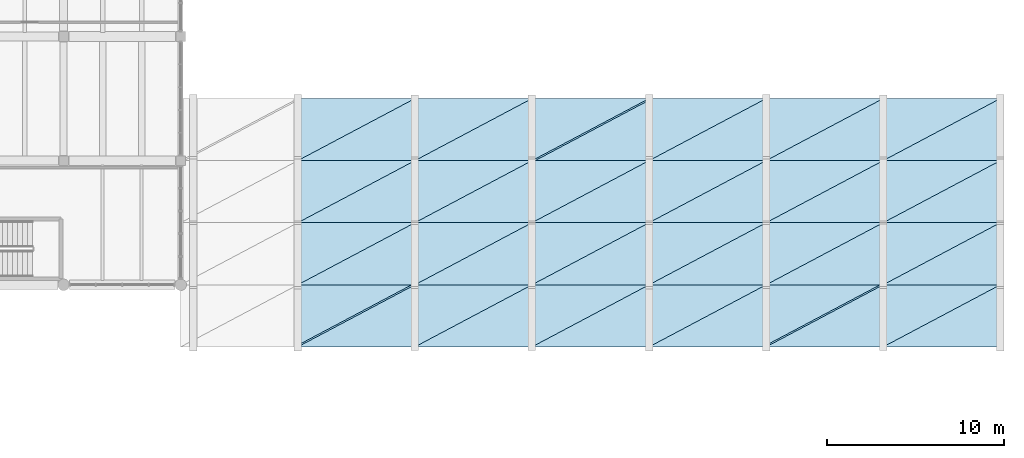
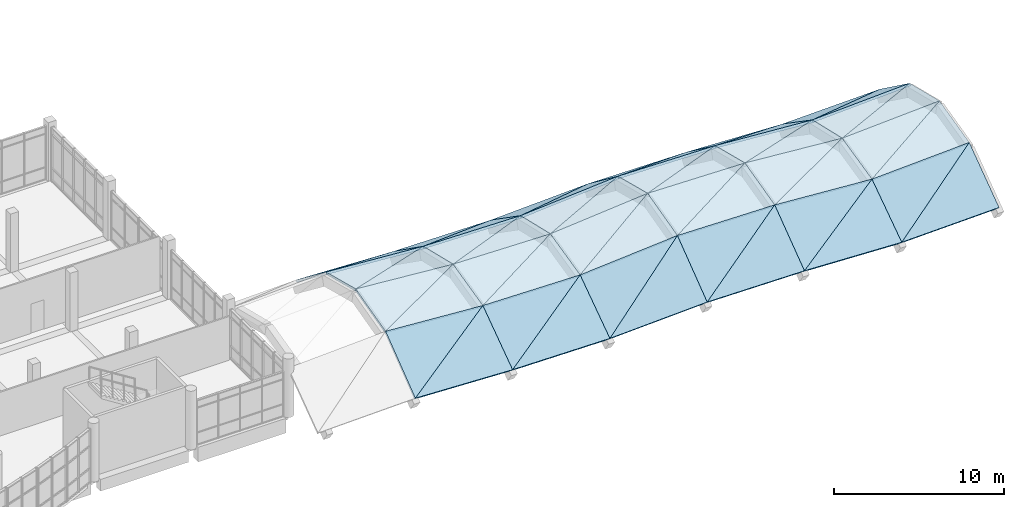
# One storey, part 44 of 65: 48 slabs, 1 element without a shape of its own.
"""IFC4 building model written with IfcOpenShell, lengths in metres."""

from ifc_helpers import new_model, si_unit, direction, frame, origin, place, context, subcontext, project, spatial, polyline, outline, extrude, material, layer, layer_set, type_object, element, aggregate, save


model = new_model("IFC4")

# Units and contexts
model_context = context("Model", 3, precision=1e-05, world=origin(), true_north=direction((0.0, 1.0)))
body_context = subcontext(model_context, "Body", "Model", "MODEL_VIEW")
ifc_project = project(units=[si_unit("LENGTHUNIT", "METRE"), si_unit("AREAUNIT", "SQUARE_METRE"), si_unit("VOLUMEUNIT", "CUBIC_METRE"), si_unit("PLANEANGLEUNIT", "RADIAN"), si_unit("MASSUNIT", "GRAM", prefix="KILO")], contexts=[model_context])

# Site, building, storey
site_placement = place(None, origin())
site = spatial("IfcSite", under=ifc_project, at=site_placement, CompositionType="ELEMENT")
building_placement = place(site_placement, origin())
building = spatial("IfcBuilding", under=site, at=building_placement, Name="Ciguamira Faculty of Natural Sciences", CompositionType="ELEMENT")
storey_placement = place(building_placement, frame((0.0, 0.0, 12.60009765625)))
storey = spatial("IfcBuildingStorey", under=building, at=storey_placement, Name="L03", CompositionType="ELEMENT", Elevation=12.60009765625)

# Roof, slabs
ifc_material = material(Name="Concrete C40/50", Category="concrete")
roof_type = type_object("IfcRoofType", Name="RoofSys_RF-SHL", PredefinedType="FREEFORM", material=ifc_material)
roof_placement = place(storey_placement, origin())
roof = element("IfcRoof", 1, at=roof_placement, inside=storey, type_object=roof_type, Name="Lecture Theatres Thin Concrete Shell Upper Crown", PredefinedType="FREEFORM")
ifc_layer = layer(ifc_material, 0.159912109375, Name="Concrete C40/50")
ifc_layer_set = layer_set([ifc_layer], Name="Concrete C40/50")
slab_type = type_object("IfcSlabType", Name="Slab_SR-02_160", PredefinedType="ROOF", material=ifc_layer_set)
slab_1_placement = place(storey_placement, frame((129.89990234375, 6.5, 0.979736328125), z_axis=(0.033035097132, -0.578735927363, 0.814845634913), x_axis=(0.999179203423, 0.0, -0.040508263925)))
slab_1 = element("IfcSlab", 2, at=slab_1_placement, type_object=slab_type, Name="V1 thin concrete shell facet 02-02-T1", PredefinedType="ROOF", context=body_context, shape_type="SweptSolid", body=[
    extrude(outline(polyline([(0.0, 0.0), (6.605519443996457, -2.7755575615628914e-17), (6.504822387530223, 4.291766516435169), (0.0, 0.0)])), origin(), (0.0, 0.0, -1.0), 0.159912109375),
])
slab_2_placement = place(storey_placement, frame((129.89990234375, 6.5, 0.979736328125), z_axis=(0.055671449392, -0.607281347196, 0.79253394569), x_axis=(0.846918583219, 0.449116845788, 0.284645344645)))
slab_2 = element("IfcSlab", 3, at=slab_2_placement, type_object=slab_type, Name="V1 thin concrete shell facet 02-02-T2", PredefinedType="ROOF", context=body_context, shape_type="SweptSolid", body=[
    extrude(outline(polyline([(0.0, 0.0), (7.793072187841484, 2.220446049250313e-16), (2.3352949736662874, 3.7401742315112054), (0.0, 0.0)])), origin(), (0.0, 0.0, -1.0), 0.159912109375),
])
slab_3_placement = place(storey_placement, frame((129.89990234375, 10.0, 3.66162109375), z_axis=(0.068159989792, -0.232021207353, 0.970319728301), x_axis=(0.99754192166, 0.0, -0.070072209412)))
slab_3 = element("IfcSlab", 4, at=slab_3_placement, type_object=slab_type, Name="V1 thin concrete shell facet 02-03-T1", PredefinedType="ROOF", context=body_context, shape_type="SweptSolid", body=[
    extrude(outline(polyline([(0.0, 0.0), (6.6163611903848185, -1.3877787807814457e-17), (6.55771677293786, 3.5981920432784795), (0.0, 0.0)])), origin(), (0.0, 0.0, -1.0), 0.159912109375),
])
slab_4_placement = place(storey_placement, frame((129.89990234375, 10.0, 3.66162109375), z_axis=(0.078276063076, -0.250523822057, 0.964940761151), x_axis=(0.882364141791, 0.467913454787, 0.049905111075)))
slab_4 = element("IfcSlab", 5, at=slab_4_placement, type_object=slab_type, Name="V1 thin concrete shell facet 02-03-T2", PredefinedType="ROOF", context=body_context, shape_type="SweptSolid", body=[
    extrude(outline(polyline([(0.0, 0.0), (7.480015725543837, -1.1102230246251565e-16), (1.6830454373160386, 3.2004809213182743), (0.0, 0.0)])), origin(), (0.0, 0.0, -1.0), 0.159912109375),
])
slab_5_placement = place(storey_placement, frame((129.89990234375, 13.5, 4.5703125), z_axis=(0.078651479537, 0.231841616058, 0.969568672055), x_axis=(0.996725916951, 0.0, -0.080854477172)))
slab_5 = element("IfcSlab", 6, at=slab_5_placement, type_object=slab_type, Name="V1 thin concrete shell facet 02-04-T1", PredefinedType="ROOF", context=body_context, shape_type="SweptSolid", body=[
    extrude(outline(polyline([(0.0, 0.0), (6.621777907051711, 0.0), (6.689446156013199, 3.5980336513285613), (0.0, 0.0)])), origin(), (0.0, 0.0, -1.0), 0.159912109375),
])
slab_6_placement = place(storey_placement, frame((129.89990234375, 13.5, 4.5703125), z_axis=(0.06783415032, 0.250716034839, 0.96568110571), x_axis=(0.868926453227, 0.46078751326, -0.180670104076)))
slab_6 = element("IfcSlab", 7, at=slab_6_placement, type_object=slab_type, Name="V1 thin concrete shell facet 02-04-T2", PredefinedType="ROOF", context=body_context, shape_type="SweptSolid", body=[
    extrude(outline(polyline([(0.0, 0.0), (7.595691938875123, -1.6653345369377348e-16), (1.7769296673485397, 3.149323900314036), (0.0, 0.0)])), origin(), (0.0, 0.0, -1.0), 0.159912109375),
])
slab_7_placement = place(storey_placement, frame((129.89990234375, 17.0, 3.66162109375), z_axis=(0.057176301521, 0.578104705672, 0.813956890642), x_axis=(0.99754192166, 0.0, -0.070072209412)))
slab_7 = element("IfcSlab", 8, at=slab_7_placement, type_object=slab_type, Name="V1 thin concrete shell facet 02-05-T1", PredefinedType="ROOF", context=body_context, shape_type="SweptSolid", body=[
    extrude(outline(polyline([(0.0, 0.0), (6.6163611903848185, -5.551115123125783e-17), (6.790549480479607, 4.289412333684987), (0.0, 0.0)])), origin(), (0.0, 0.0, -1.0), 0.159912109375),
])
slab_8_placement = place(storey_placement, frame((129.89990234375, 17.0, 3.66162109375), z_axis=(0.032163804377, 0.60790992831, 0.793354276947), x_axis=(0.821740613892, 0.435765089915, -0.36722084621)))
slab_8 = element("IfcSlab", 9, at=slab_8_placement, type_object=slab_type, Name="V1 thin concrete shell facet 02-05-T2", PredefinedType="ROOF", context=body_context, shape_type="SweptSolid", body=[
    extrude(outline(polyline([(0.0, 0.0), (8.03185037305917, 4.440892098500626e-16), (2.5100218077724072, 3.625230533441756), (0.0, 0.0)])), origin(), (0.0, 0.0, -1.0), 0.159912109375),
])
slab_9_placement = place(storey_placement, frame((136.5, 6.5, 0.712158203125), z_axis=(0.008225819886, -0.571474418624, 0.820578652383), x_axis=(0.999949759351, 0.0, -0.010023910068)))
slab_9 = element("IfcSlab", 10, at=slab_9_placement, type_object=slab_type, Name="V1 thin concrete shell facet 03-02-T1", PredefinedType="ROOF", context=body_context, shape_type="SweptSolid", body=[
    extrude(outline(polyline([(0.0, 0.0), (6.600429266097296, 0.0), (6.575995985306013, 4.26506849473602), (0.0, 0.0)])), origin(), (0.0, 0.0, -1.0), 0.159912109375),
])
slab_10_placement = place(storey_placement, frame((136.5, 6.5, 0.712158203125), z_axis=(0.014142674486, -0.578994065928, 0.815209087522), x_axis=(0.842062026152, 0.446541436965, 0.302543036917)))
slab_10 = element("IfcSlab", 11, at=slab_10_placement, type_object=slab_type, Name="V1 thin concrete shell facet 03-02-T2", PredefinedType="ROOF", context=body_context, shape_type="SweptSolid", body=[
    extrude(outline(polyline([(0.0, 0.0), (7.838018401582799, 4.440892098500626e-16), (2.3149685649941287, 3.6152897908555066), (0.0, 0.0)])), origin(), (0.0, 0.0, -1.0), 0.159912109375),
])
slab_11_placement = place(storey_placement, frame((136.5, 10.0, 3.197998046875), z_axis=(0.016889443138, -0.227901276258, 0.973537752216), x_axis=(0.999849548316, 0.0, -0.017345913966)))
slab_11 = element("IfcSlab", 12, at=slab_11_placement, type_object=slab_type, Name="V1 thin concrete shell facet 03-03-T1", PredefinedType="ROOF", context=body_context, shape_type="SweptSolid", body=[
    extrude(outline(polyline([(0.0, 0.0), (6.601090801474116, 0.0), (6.58687867079288, 3.594594468618192), (0.0, 0.0)])), origin(), (0.0, 0.0, -1.0), 0.159912109375),
])
slab_12_placement = place(storey_placement, frame((136.5, 10.0, 3.197998046875), z_axis=(0.019459458195, -0.232518016438, 0.972397398967), x_axis=(0.879559050831, 0.466425928561, 0.09392938447)))
slab_12 = element("IfcSlab", 13, at=slab_12_placement, type_object=slab_type, Name="V1 thin concrete shell facet 03-03-T2", PredefinedType="ROOF", context=body_context, shape_type="SweptSolid", body=[
    extrude(outline(polyline([(0.0, 0.0), (7.503871002193914, 1.3877787807814457e-16), (1.7111015727079177, 3.1658421558704957), (0.0, 0.0)])), origin(), (0.0, 0.0, -1.0), 0.159912109375),
])
slab_13_placement = place(storey_placement, frame((136.5, 13.5, 4.034912109375), z_axis=(0.019481360176, 0.227890530801, 0.973491850288), x_axis=(0.999799823313, 0.0, -0.020007831043)))
slab_13 = element("IfcSlab", 14, at=slab_13_placement, type_object=slab_type, Name="V1 thin concrete shell facet 03-04-T1", PredefinedType="ROOF", context=body_context, shape_type="SweptSolid", body=[
    extrude(outline(polyline([(0.0, 0.0), (6.6014191064553875, -3.469446951953614e-18), (6.617812241460223, 3.5945851838012843), (0.0, 0.0)])), origin(), (0.0, 0.0, -1.0), 0.159912109375),
])
slab_14_placement = place(storey_placement, frame((136.5, 13.5, 4.034912109375), z_axis=(0.01687045334, 0.23252895545, 0.972443146246), x_axis=(0.876386584848, 0.464743585129, -0.126332711443)))
slab_14 = element("IfcSlab", 15, at=slab_14_placement, type_object=slab_type, Name="V1 thin concrete shell facet 03-04-T2", PredefinedType="ROOF", context=body_context, shape_type="SweptSolid", body=[
    extrude(outline(polyline([(0.0, 0.0), (7.53103455753753, 6.38378239159465e-16), (1.7323321707117618, 3.1542749401926473), (0.0, 0.0)])), origin(), (0.0, 0.0, -1.0), 0.159912109375),
])
slab_15_placement = place(storey_placement, frame((136.5, 17.0, 3.197998046875), z_axis=(0.014234867728, 0.571435849519, 0.820523271105), x_axis=(0.999849548316, 0.0, -0.017345913966)))
slab_15 = element("IfcSlab", 16, at=slab_15_placement, type_object=slab_type, Name="V1 thin concrete shell facet 03-05-T1", PredefinedType="ROOF", context=body_context, shape_type="SweptSolid", body=[
    extrude(outline(polyline([(0.0, 0.0), (6.601090801474116, 0.0), (6.643371466766564, 4.264928908591845), (0.0, 0.0)])), origin(), (0.0, 0.0, -1.0), 0.159912109375),
])
slab_16_placement = place(storey_placement, frame((136.5, 17.0, 3.197998046875), z_axis=(0.008172537593, 0.579032640564, 0.815263399639), x_axis=(0.836031596924, 0.443343529389, -0.323261015116)))
slab_16 = element("IfcSlab", 17, at=slab_16_placement, type_object=slab_type, Name="V1 thin concrete shell facet 03-05-T2", PredefinedType="ROOF", context=body_context, shape_type="SweptSolid", body=[
    extrude(outline(polyline([(0.0, 0.0), (7.894555278214889, -6.661338147750939e-16), (2.355277464167732, 3.5891597617769317), (0.0, 0.0)])), origin(), (0.0, 0.0, -1.0), 0.159912109375),
])
slab_17_placement = place(storey_placement, frame((143.10009765625, 6.5, 0.64599609375), z_axis=(-0.035843942819, -0.603977437678, 0.796194992787), x_axis=(0.998988180276, 0.0, 0.044973499626)))
slab_17 = element("IfcSlab", 18, at=slab_17_placement, type_object=slab_type, Name="V1 thin concrete shell facet 04-02-T1", PredefinedType="ROOF", context=body_context, shape_type="SweptSolid", body=[
    extrude(outline(polyline([(0.0, 0.0), (6.606538141222936, 0.0), (6.725944100313588, 4.391460210931918), (0.0, 0.0)])), origin(), (0.0, 0.0, -1.0), 0.159912109375),
])
slab_18_placement = place(storey_placement, frame((143.10009765625, 6.5, 0.64599609375), z_axis=(-0.06385926739, -0.570327285841, 0.818931487362), x_axis=(0.821629814083, 0.435722450882, 0.367519243587)))
slab_18 = element("IfcSlab", 19, at=slab_18_placement, type_object=slab_type, Name="V1 thin concrete shell facet 04-02-T2", PredefinedType="ROOF", context=body_context, shape_type="SweptSolid", body=[
    extrude(outline(polyline([(0.0, 0.0), (8.032636355813786, -6.661338147750939e-16), (2.420856734331302, 3.511532275494956), (0.0, 0.0)])), origin(), (0.0, 0.0, -1.0), 0.159912109375),
])
slab_19_placement = place(storey_placement, frame((143.10009765625, 10.0, 3.08349609375), z_axis=(-0.075312970248, -0.248055696955, 0.965813816282), x_axis=(0.996973451622, 0.0, 0.077742760183)))
slab_19 = element("IfcSlab", 20, at=slab_19_placement, type_object=slab_type, Name="V1 thin concrete shell facet 04-03-T1", PredefinedType="ROOF", context=body_context, shape_type="SweptSolid", body=[
    extrude(outline(polyline([(0.0, 0.0), (6.619888929727512, 0.0), (6.6897739011612884, 3.612918993136107), (0.0, 0.0)])), origin(), (0.0, 0.0, -1.0), 0.159912109375),
])
slab_20_placement = place(storey_placement, frame((143.10009765625, 10.0, 3.08349609375), z_axis=(-0.087333031329, -0.227062892085, 0.969956382874), x_axis=(0.868054246771, 0.460342014638, 0.185922172486)))
slab_20 = element("IfcSlab", 21, at=slab_20_placement, type_object=slab_type, Name="V1 thin concrete shell facet 04-03-T2", PredefinedType="ROOF", context=body_context, shape_type="SweptSolid", body=[
    extrude(outline(polyline([(0.0, 0.0), (7.603042713257788, 2.220446049250313e-16), (1.7635297687286244, 3.132295345794673), (0.0, 0.0)])), origin(), (0.0, 0.0, -1.0), 0.159912109375),
])
slab_21_placement = place(storey_placement, frame((143.10009765625, 13.5, 3.90283203125), z_axis=(-0.086877981322, 0.247821615398, 0.964902411285), x_axis=(0.995971050247, 0.0, 0.089675342592)))
slab_21 = element("IfcSlab", 22, at=slab_21_placement, type_object=slab_type, Name="V1 thin concrete shell facet 04-04-T1", PredefinedType="ROOF", context=body_context, shape_type="SweptSolid", body=[
    extrude(outline(polyline([(0.0, 0.0), (6.626551558888727, 2.7755575615628914e-17), (6.545940081489932, 3.6126955794679834), (0.0, 0.0)])), origin(), (0.0, 0.0, -1.0), 0.159912109375),
])
slab_22_placement = place(storey_placement, frame((143.10009765625, 13.5, 3.90283203125), z_axis=(-0.07570819641, 0.227279621705, 0.970882198083), x_axis=(0.882723915299, 0.468121556976, -0.040751653397)))
slab_22 = element("IfcSlab", 23, at=slab_22_placement, type_object=slab_type, Name="V1 thin concrete shell facet 04-04-T2", PredefinedType="ROOF", context=body_context, shape_type="SweptSolid", body=[
    extrude(outline(polyline([(0.0, 0.0), (7.476690504518957, 5.273559366969494e-16), (1.671814743555611, 3.182192144058729), (0.0, 0.0)])), origin(), (0.0, 0.0, -1.0), 0.159912109375),
])
slab_23_placement = place(storey_placement, frame((143.10009765625, 17.0, 3.08349609375), z_axis=(-0.062006678581, 0.603202843237, 0.795173881439), x_axis=(0.996973451622, 0.0, 0.077742760183)))
slab_23 = element("IfcSlab", 24, at=slab_23_placement, type_object=slab_type, Name="V1 thin concrete shell facet 04-05-T1", PredefinedType="ROOF", context=body_context, shape_type="SweptSolid", body=[
    extrude(outline(polyline([(0.0, 0.0), (6.619888929727512, -5.551115123125783e-17), (6.413479623822483, 4.388231507760314), (0.0, 0.0)])), origin(), (0.0, 0.0, -1.0), 0.159912109375),
])
slab_24_placement = place(storey_placement, frame((143.10009765625, 17.0, 3.08349609375), z_axis=(-0.036917738209, 0.571104171011, 0.820047014786), x_axis=(0.849286675984, 0.450389294082, -0.275429892663)))
slab_24 = element("IfcSlab", 25, at=slab_24_placement, type_object=slab_type, Name="V1 thin concrete shell facet 04-05-T2", PredefinedType="ROOF", context=body_context, shape_type="SweptSolid", body=[
    extrude(outline(polyline([(0.0, 0.0), (7.771055053909124, -4.440892098500626e-16), (2.2477228926514856, 3.624796276737554), (0.0, 0.0)])), origin(), (0.0, 0.0, -1.0), 0.159912109375),
])
slab_25_placement = place(storey_placement, frame((149.699951171875, 6.5, 0.943115234375), z_axis=(0.008039414883, -0.597292017273, 0.801983549651), x_axis=(0.999949759351, 0.0, -0.010023910068)))
slab_25 = element("IfcSlab", 26, at=slab_25_placement, type_object=slab_type, Name="V1 thin concrete shell facet 05-02-T1", PredefinedType="ROOF", context=body_context, shape_type="SweptSolid", body=[
    extrude(outline(polyline([(0.0, 0.0), (6.600429266097296, -6.938893903907228e-18), (6.574300045443396, 4.363960032912897), (0.0, 0.0)])), origin(), (0.0, 0.0, -1.0), 0.159912109375),
])
slab_26_placement = place(storey_placement, frame((149.699951171875, 6.5, 0.943115234375), z_axis=(0.013820369779, -0.604308083015, 0.796630866952), x_axis=(0.836423803009, 0.443551514387, 0.321958500189)))
slab_26 = element("IfcSlab", 27, at=slab_26_placement, type_object=slab_type, Name="V1 thin concrete shell facet 05-02-T2", PredefinedType="ROOF", context=body_context, shape_type="SweptSolid", body=[
    extrude(outline(polyline([(0.0, 0.0), (7.890853455512792, -6.661338147750939e-16), (2.407239550735499, 3.6748303787575436), (0.0, 0.0)])), origin(), (0.0, 0.0, -1.0), 0.159912109375),
])
slab_27_placement = place(storey_placement, frame((149.699951171875, 10.0, 3.59814453125), z_axis=(0.016821234481, -0.244092379586, 0.969606083056), x_axis=(0.999849548316, 0.0, -0.017345913966)))
slab_27 = element("IfcSlab", 28, at=slab_27_placement, type_object=slab_type, Name="V1 thin concrete shell facet 05-03-T1", PredefinedType="ROOF", context=body_context, shape_type="SweptSolid", body=[
    extrude(outline(polyline([(0.0, 0.0), (6.601090801474116, 3.469446951953614e-18), (6.585807255696827, 3.609170239608435), (0.0, 0.0)])), origin(), (0.0, 0.0, -1.0), 0.159912109375),
])
slab_28_placement = place(storey_placement, frame((149.699951171875, 10.0, 3.59814453125), z_axis=(0.019414924189, -0.248715306656, 0.968382030479), x_axis=(0.878850059793, 0.466049954028, 0.102078463703)))
slab_28 = element("IfcSlab", 29, at=slab_28_placement, type_object=slab_type, Name="V1 thin concrete shell facet 05-03-T2", PredefinedType="ROOF", context=body_context, shape_type="SweptSolid", body=[
    extrude(outline(polyline([(0.0, 0.0), (7.509924568706678, 4.440892098500626e-16), (1.7229358018313752, 3.176406740794321), (0.0, 0.0)])), origin(), (0.0, 0.0, -1.0), 0.159912109375),
])
slab_29_placement = place(storey_placement, frame((149.699951171875, 13.5, 4.4970703125), z_axis=(0.019438542293, 0.244080793484, 0.96956005968), x_axis=(0.999799082828, 0.0, -0.020044799249)))
slab_29 = element("IfcSlab", 30, at=slab_29_placement, type_object=slab_type, Name="V1 thin concrete shell facet 05-04-T1", PredefinedType="ROOF", context=body_context, shape_type="SweptSolid", body=[
    extrude(outline(polyline([(0.0, 0.0), (6.601423995692485, 0.0), (6.619085538780618, 3.609159386220354), (0.0, 0.0)])), origin(), (0.0, 0.0, -1.0), 0.159912109375),
])
slab_30_placement = place(storey_placement, frame((149.699951171875, 13.5, 4.4970703125), z_axis=(0.016800794506, 0.248727084077, 0.968427886293), x_axis=(0.875446733478, 0.464245186474, -0.134422556435)))
slab_30 = element("IfcSlab", 31, at=slab_30_placement, type_object=slab_type, Name="V1 thin concrete shell facet 05-04-T2", PredefinedType="ROOF", context=body_context, shape_type="SweptSolid", body=[
    extrude(outline(polyline([(0.0, 0.0), (7.539119633275306, 2.7755575615628914e-17), (1.7456940542201984, 3.1639563570403704), (0.0, 0.0)])), origin(), (0.0, 0.0, -1.0), 0.159912109375),
])
slab_31_placement = place(storey_placement, frame((149.699951171875, 17.0, 3.59814453125), z_axis=(0.013912333984, 0.597253511847, 0.801931848444), x_axis=(0.999849548316, 0.0, -0.017345913966)))
slab_31 = element("IfcSlab", 32, at=slab_31_placement, type_object=slab_type, Name="V1 thin concrete shell facet 05-05-T1", PredefinedType="ROOF", context=body_context, shape_type="SweptSolid", body=[
    extrude(outline(polyline([(0.0, 0.0), (6.601090801474116, 0.0), (6.646306212464448, 4.363804013889955), (0.0, 0.0)])), origin(), (0.0, 0.0, -1.0), 0.159912109375),
])
slab_32_placement = place(storey_placement, frame((149.699951171875, 17.0, 3.59814453125), z_axis=(0.007986265441, 0.604346529833, 0.796681549581), x_axis=(0.830111184546, 0.440203963219, -0.342251211916)))
slab_32 = element("IfcSlab", 33, at=slab_32_placement, type_object=slab_type, Name="V1 thin concrete shell facet 05-05-T2", PredefinedType="ROOF", context=body_context, shape_type="SweptSolid", body=[
    extrude(outline(polyline([(0.0, 0.0), (7.95085981145974, 6.661338147750939e-16), (2.449400865794255, 3.6468638534926026), (0.0, 0.0)])), origin(), (0.0, 0.0, -1.0), 0.159912109375),
])
slab_33_placement = place(storey_placement, frame((156.300048828125, 6.5, 0.876953125), z_axis=(0.033370984061, -0.566914851486, 0.823100193529), x_axis=(0.999179142771, 0.0, -0.040509759941)))
slab_33 = element("IfcSlab", 34, at=slab_33_placement, type_object=slab_type, Name="V1 thin concrete shell facet 06-02-T1", PredefinedType="ROOF", context=body_context, shape_type="SweptSolid", body=[
    extrude(outline(polyline([(0.0, 0.0), (6.60527550376865, 0.0), (6.507620872505298, 4.248725765336985), (0.0, 0.0)])), origin(), (0.0, 0.0, -1.0), 0.159912109375),
])
slab_34_placement = place(storey_placement, frame((156.300048828125, 6.5, 0.876953125), z_axis=(0.056249939588, -0.596365608546, 0.800739661338), x_axis=(0.849205798345, 0.450346403473, 0.275749213845)))
slab_34 = element("IfcSlab", 35, at=slab_34_placement, type_object=slab_type, Name="V1 thin concrete shell facet 06-02-T2", PredefinedType="ROOF", context=body_context, shape_type="SweptSolid", body=[
    extrude(outline(polyline([(0.0, 0.0), (7.771795162593065, -4.440892098500626e-16), (2.295004979591778, 3.7118434838610925), (0.0, 0.0)])), origin(), (0.0, 0.0, -1.0), 0.159912109375),
])
slab_35_placement = place(storey_placement, frame((156.300048828125, 10.0, 3.483642578125), z_axis=(0.068281777208, -0.224765492543, 0.972017526726), x_axis=(0.997541740469, 0.0, -0.070074788782)))
slab_35 = element("IfcSlab", 36, at=slab_35_placement, type_object=slab_type, Name="V1 thin concrete shell facet 06-03-T1", PredefinedType="ROOF", context=body_context, shape_type="SweptSolid", body=[
    extrude(outline(polyline([(0.0, 0.0), (6.616117649898717, -1.3877787807814457e-17), (6.559404289348651, 3.591906519832742), (0.0, 0.0)])), origin(), (0.0, 0.0, -1.0), 0.159912109375),
])
slab_36_placement = place(storey_placement, frame((156.300048828125, 10.0, 3.483642578125), z_axis=(0.078426248895, -0.243374989503, 0.966756400532), x_axis=(0.882513370608, 0.46800990201, 0.046226424473)))
slab_36 = element("IfcSlab", 37, at=slab_36_placement, type_object=slab_type, Name="V1 thin concrete shell facet 06-03-T2", PredefinedType="ROOF", context=body_context, shape_type="SweptSolid", body=[
    extrude(outline(polyline([(0.0, 0.0), (7.47847424802295, -1.5265566588595902e-16), (1.6787649221522758, 3.19501044464612), (0.0, 0.0)])), origin(), (0.0, 0.0, -1.0), 0.159912109375),
])
slab_37_placement = place(storey_placement, frame((156.300048828125, 13.5, 4.36474609375), z_axis=(0.078791794963, 0.224590895842, 0.971262468415), x_axis=(0.996725675906, 0.0, -0.080857448573)))
slab_37 = element("IfcSlab", 38, at=slab_37_placement, type_object=slab_type, Name="V1 thin concrete shell facet 06-04-T1", PredefinedType="ROOF", context=body_context, shape_type="SweptSolid", body=[
    extrude(outline(polyline([(0.0, 0.0), (6.6215345657928175, 1.3877787807814457e-17), (6.686974615113625, 3.5917581283302926), (0.0, 0.0)])), origin(), (0.0, 0.0, -1.0), 0.159912109375),
])
slab_38_placement = place(storey_placement, frame((156.300048828125, 13.5, 4.36474609375), z_axis=(0.067964501937, 0.243562435444, 0.967500990448), x_axis=(0.869483616073, 0.461100030334, -0.177158131074)))
slab_38 = element("IfcSlab", 39, at=slab_38_placement, type_object=slab_type, Name="V1 thin concrete shell facet 06-04-T2", PredefinedType="ROOF", context=body_context, shape_type="SweptSolid", body=[
    extrude(outline(polyline([(0.0, 0.0), (7.590543851108479, -1.3877787807814457e-16), (1.7699447582812033, 3.14541554613689), (0.0, 0.0)])), origin(), (0.0, 0.0, -1.0), 0.159912109375),
])
slab_39_placement = place(storey_placement, frame((156.300048828125, 17.0, 3.483642578125), z_axis=(0.057756359235, 0.566283906288, 0.822184128068), x_axis=(0.997541740469, 0.0, -0.070074788782)))
slab_39 = element("IfcSlab", 40, at=slab_39_placement, type_object=slab_type, Name="V1 thin concrete shell facet 06-05-T1", PredefinedType="ROOF", context=body_context, shape_type="SweptSolid", body=[
    extrude(outline(polyline([(0.0, 0.0), (6.616117649898717, 5.551115123125783e-17), (6.785043056255086, 4.2464892868265744), (0.0, 0.0)])), origin(), (0.0, 0.0, -1.0), 0.159912109375),
])
slab_40_placement = place(storey_placement, frame((156.300048828125, 17.0, 3.483642578125), z_axis=(0.032498726276, 0.596995806708, 0.801585827945), x_axis=(0.824534239902, 0.43726271088, -0.359088580859)))
slab_40 = element("IfcSlab", 41, at=slab_40_placement, type_object=slab_type, Name="V1 thin concrete shell facet 06-05-T2", PredefinedType="ROOF", context=body_context, shape_type="SweptSolid", body=[
    extrude(outline(polyline([(0.0, 0.0), (8.004341355687439, 2.220446049250313e-16), (2.4664519045442486, 3.6002006760183747), (0.0, 0.0)])), origin(), (0.0, 0.0, -1.0), 0.159912109375),
])
slab_41_placement = place(storey_placement, frame((162.89990234375, 6.5, 0.609375), z_axis=(-0.022697904971, -0.588124108053, 0.808452125136), x_axis=(0.999606108797, 0.0, 0.028064697661)))
slab_41 = element("IfcSlab", 42, at=slab_41_placement, type_object=slab_type, Name="V1 thin concrete shell facet 07-02-T1", PredefinedType="ROOF", context=body_context, shape_type="SweptSolid", body=[
    extrude(outline(polyline([(0.0, 0.0), (6.6026984010632805, 1.3877787807814457e-17), (6.67415512272108, 4.327555425996407), (0.0, 0.0)])), origin(), (0.0, 0.0, -1.0), 0.159912109375),
])
slab_42_placement = place(storey_placement, frame((162.89990234375, 6.5, 0.609375), z_axis=(-0.039997426162, -0.566776872128, 0.822899862146), x_axis=(0.82974433666, 0.440009425552, 0.343389052251)))
slab_42 = element("IfcSlab", 43, at=slab_42_placement, type_object=slab_type, Name="V1 thin concrete shell facet 07-02-T2", PredefinedType="ROOF", context=body_context, shape_type="SweptSolid", body=[
    extrude(outline(polyline([(0.0, 0.0), (7.954375058244046, 0.0), (2.3678219303307984, 3.529111270885358), (0.0, 0.0)])), origin(), (0.0, 0.0, -1.0), 0.159912109375),
])
slab_43_placement = place(storey_placement, frame((162.89990234375, 10.0, 3.02001953125), z_axis=(-0.047151647803, -0.238123958395, 0.970089533264), x_axis=(0.998820843538, 0.0, 0.048548146349)))
slab_43 = element("IfcSlab", 44, at=slab_43_placement, type_object=slab_type, Name="V1 thin concrete shell facet 07-03-T1", PredefinedType="ROOF", context=body_context, shape_type="SweptSolid", body=[
    extrude(outline(polyline([(0.0, 0.0), (6.607889391726178, -1.3877787807814457e-17), (6.6495986024203795, 3.6036601081780306), (0.0, 0.0)])), origin(), (0.0, 0.0, -1.0), 0.159912109375),
])
slab_44_placement = place(storey_placement, frame((162.89990234375, 10.0, 3.02001953125), z_axis=(-0.054626252899, -0.2249549165, 0.972836706769), x_axis=(0.872647713687, 0.462760879759, 0.156007486878)))
slab_44 = element("IfcSlab", 45, at=slab_44_placement, type_object=slab_type, Name="V1 thin concrete shell facet 07-03-T2", PredefinedType="ROOF", context=body_context, shape_type="SweptSolid", body=[
    extrude(outline(polyline([(0.0, 0.0), (7.563301378933987, 2.220446049250313e-16), (1.7459240212958957, 3.139547445786385), (0.0, 0.0)])), origin(), (0.0, 0.0, -1.0), 0.159912109375),
])
slab_45_placement = place(storey_placement, frame((162.89990234375, 13.5, 3.829345703125), z_axis=(-0.054451744836, 0.238035435154, 0.969728899794), x_axis=(0.998427222041, 0.0, 0.056063199048)))
slab_45 = element("IfcSlab", 46, at=slab_45_placement, type_object=slab_type, Name="V1 thin concrete shell facet 07-04-T1", PredefinedType="ROOF", context=body_context, shape_type="SweptSolid", body=[
    extrude(outline(polyline([(0.0, 0.0), (6.610494496291798, 0.0), (6.5623288719145485, 3.603579596201363), (0.0, 0.0)])), origin(), (0.0, 0.0, -1.0), 0.159912109375),
])
slab_46_placement = place(storey_placement, frame((162.89990234375, 13.5, 3.829345703125), z_axis=(-0.047302873324, 0.225039112596, 0.973200819963), x_axis=(0.881582096392, 0.467498739878, -0.065252858433)))
slab_46 = element("IfcSlab", 47, at=slab_46_placement, type_object=slab_type, Name="V1 thin concrete shell facet 07-04-T2", PredefinedType="ROOF", context=body_context, shape_type="SweptSolid", body=[
    extrude(outline(polyline([(0.0, 0.0), (7.486651195916774, 5.967448757360216e-16), (1.689056435693848, 3.1705042516172464), (0.0, 0.0)])), origin(), (0.0, 0.0, -1.0), 0.159912109375),
])
slab_47_placement = place(storey_placement, frame((162.89990234375, 17.0, 3.02001953125), z_axis=(-0.039274987108, 0.587821775936, 0.80803653081), x_axis=(0.998820843538, 0.0, 0.048548146349)))
slab_47 = element("IfcSlab", 48, at=slab_47_placement, type_object=slab_type, Name="V1 thin concrete shell facet 07-05-T1", PredefinedType="ROOF", context=body_context, shape_type="SweptSolid", body=[
    extrude(outline(polyline([(0.0, 0.0), (6.607889391726178, 0.0), (6.484278889216993, 4.326379834435535), (0.0, 0.0)])), origin(), (0.0, 0.0, -1.0), 0.159912109375),
])
slab_48_placement = place(storey_placement, frame((162.89990234375, 17.0, 3.02001953125), z_axis=(-0.023115860395, 0.567079211819, 0.823338827288), x_axis=(0.846699303268, 0.449000562686, -0.285479919704)))
slab_48 = element("IfcSlab", 49, at=slab_48_placement, type_object=slab_type, Name="V1 thin concrete shell facet 07-05-T2", PredefinedType="ROOF", context=body_context, shape_type="SweptSolid", body=[
    extrude(outline(polyline([(0.0, 0.0), (7.79509045393032, 0.0), (2.2596925766162794, 3.5993050044738935), (0.0, 0.0)])), origin(), (0.0, 0.0, -1.0), 0.159912109375),
])
aggregate(roof, [slab_1, slab_2, slab_3, slab_4, slab_5, slab_6, slab_7, slab_8, slab_9, slab_10, slab_11, slab_12, slab_13, slab_14, slab_15, slab_16, slab_17, slab_18, slab_19, slab_20, slab_21, slab_22, slab_23, slab_24, slab_25, slab_26, slab_27, slab_28, slab_29, slab_30, slab_31, slab_32, slab_33, slab_34, slab_35, slab_36, slab_37, slab_38, slab_39, slab_40, slab_41, slab_42, slab_43, slab_44, slab_45, slab_46, slab_47, slab_48])

save(model, "model.ifc")
